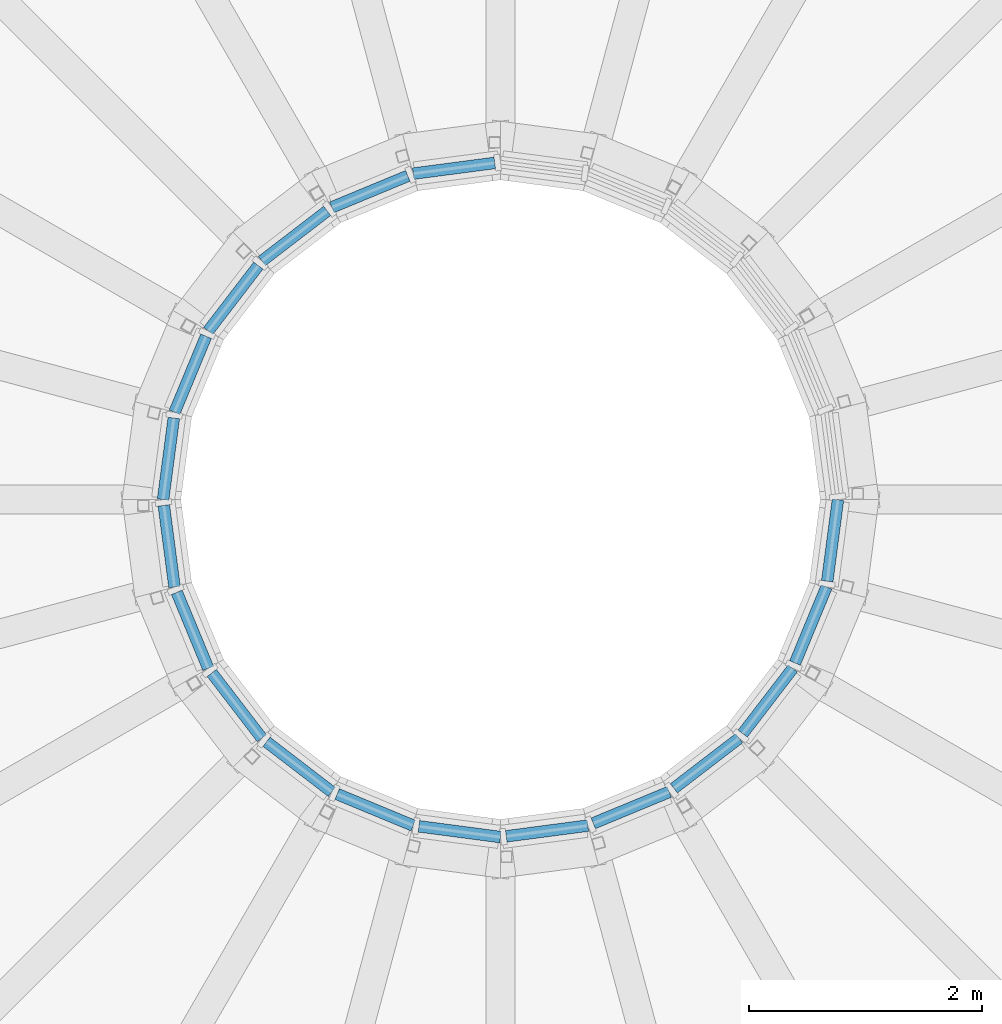
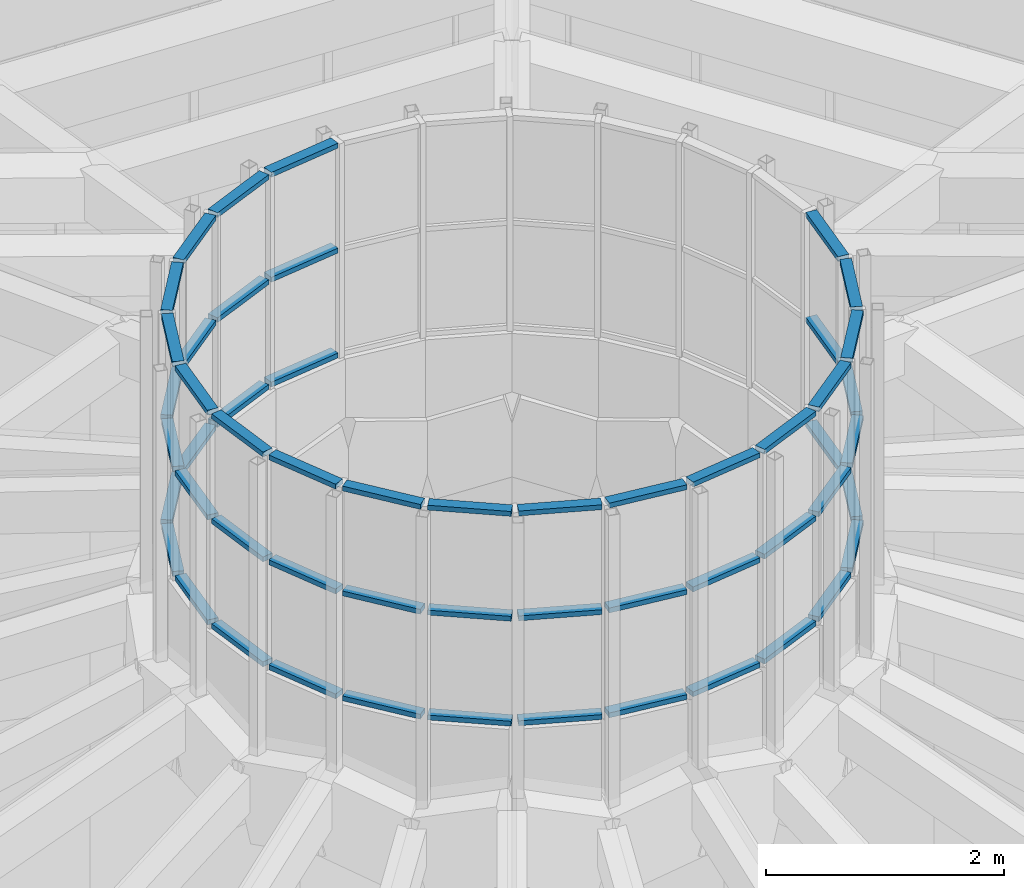
# One storey, part 32 of 82: 54 members, 18 elements without a shape of their own.
"""IFC4 building model written with IfcOpenShell, lengths in metres."""

from ifc_helpers import new_model, si_unit, direction, frame, origin, origin_2d, place, context, subcontext, project, spatial, rectangle, extrude, material, layer, layer_set, material_profile, profile_set, type_object, element, aggregate, save


model = new_model("IFC4")

# Units and contexts
model_context = context("Model", 3, precision=1e-05, world=origin(), true_north=direction((0.0, 1.0)))
body_context = subcontext(model_context, "Body", "Model", "MODEL_VIEW")
ifc_project = project(units=[si_unit("LENGTHUNIT", "METRE"), si_unit("AREAUNIT", "SQUARE_METRE"), si_unit("VOLUMEUNIT", "CUBIC_METRE"), si_unit("PLANEANGLEUNIT", "RADIAN"), si_unit("MASSUNIT", "GRAM", prefix="KILO")], contexts=[model_context])

# Site, building, storey
site_placement = place(None, origin())
site = spatial("IfcSite", under=ifc_project, at=site_placement, CompositionType="ELEMENT")
building_placement = place(site_placement, origin())
building = spatial("IfcBuilding", under=site, at=building_placement, Name="Volute Hill Aquarium", CompositionType="ELEMENT")
storey_placement = place(building_placement, frame((0.0, 0.0, 13.800048828125)))
storey = spatial("IfcBuildingStorey", under=building, at=storey_placement, Name="L04", CompositionType="ELEMENT", Elevation=13.800048828125)

# Curtain wall, members
ifc_material_1 = material(Name="Aluminium", Category="aluminium")
ifc_layer = layer(ifc_material_1, 0.139892578125)
ifc_layer_set = layer_set([ifc_layer], Name="Curtain wall DR lantern module 757")
curtain_wall_type = type_object("IfcCurtainWallType", Name="Curtain wall DR lantern module 757", PredefinedType="NOTDEFINED", material=ifc_layer_set)
curtain_wall_1_placement = place(storey_placement, origin())
curtain_wall_1 = element("IfcCurtainWall", 1, at=curtain_wall_1_placement, inside=storey, type_object=curtain_wall_type, Name="Curtain wall CW DR lantern l06", PredefinedType="NOTDEFINED")
ifc_material_2 = material(Name="Aluminium", Category="aluminium")
ifc_material_profile = material_profile(ifc_material_2, rectangle(XDim=0.10009765625, YDim=0.050048828125, at=origin_2d()), Name="Curtain wall transom lantern 50x100")
ifc_profile_set = profile_set([ifc_material_profile], Name="Aluminium")
member_type = type_object("IfcMemberType", Name="Curtain wall transom lantern 50x100", PredefinedType="USERDEFINED", material=ifc_profile_set)
member_1_placement = place(storey_placement, frame((-0.049560546875, 2.8935546875, 25.191650390625), z_axis=(-0.991443713746, -0.13053490902, 0.0), x_axis=(0.13053490902, -0.991443713746, 0.0)))
member_1 = element("IfcMember", 2, at=member_1_placement, type_object=member_type, Name="Transom DR lantern 1.1", ObjectType="TRANSOM", PredefinedType="USERDEFINED", context=body_context, shape_type="SweptSolid", body=[
    extrude(rectangle(XDim=0.10009765625, YDim=0.050048828125, at=origin_2d()), origin(), (0.0, 0.0, 1.0), 0.70703125),
])
member_2_placement = place(storey_placement, frame((-0.049560546875, 2.8935546875, 26.2666015625), z_axis=(-0.991443713746, -0.13053490902, 0.0), x_axis=(0.13053490902, -0.991443713746, 0.0)))
member_2 = element("IfcMember", 3, at=member_2_placement, type_object=member_type, Name="Transom DR lantern 1.2", ObjectType="TRANSOM", PredefinedType="USERDEFINED", context=body_context, shape_type="SweptSolid", body=[
    extrude(rectangle(XDim=0.10009765625, YDim=0.050048828125, at=origin_2d()), origin(), (0.0, 0.0, 1.0), 0.70703125),
])
member_3_placement = place(storey_placement, frame((-0.049560546875, 2.8935546875, 27.341552734375), z_axis=(-0.991443713746, -0.13053490902, 0.0), x_axis=(0.13053490902, -0.991443713746, 0.0)))
member_3 = element("IfcMember", 4, at=member_3_placement, type_object=member_type, Name="Head member DR lantern 1", ObjectType="TRANSOM", PredefinedType="USERDEFINED", context=body_context, shape_type="SweptSolid", body=[
    extrude(rectangle(XDim=0.10009765625, YDim=0.050048828125, at=origin_2d()), origin(), (0.0, 0.0, 1.0), 0.70703125),
])
aggregate(curtain_wall_1, [member_1, member_2, member_3])

curtain_wall_2_placement = place(storey_placement, origin())
curtain_wall_2 = element("IfcCurtainWall", 5, at=curtain_wall_2_placement, inside=storey, type_object=curtain_wall_type, Name="Curtain wall CW DR lantern l07", PredefinedType="NOTDEFINED")
member_4_placement = place(storey_placement, frame((-0.796875, 2.781982421875, 25.191650390625), z_axis=(-0.923882130891, -0.382677159262, 0.0), x_axis=(0.382677159262, -0.923882130891, 0.0)))
member_4 = element("IfcMember", 6, at=member_4_placement, type_object=member_type, Name="Transom DR lantern 1.1", ObjectType="TRANSOM", PredefinedType="USERDEFINED", context=body_context, shape_type="SweptSolid", body=[
    extrude(rectangle(XDim=0.10009765625, YDim=0.050048828125, at=origin_2d()), origin(), (0.0, 0.0, 1.0), 0.706787109375),
])
member_5_placement = place(storey_placement, frame((-0.796875, 2.781982421875, 26.2666015625), z_axis=(-0.923882130891, -0.382677159262, 0.0), x_axis=(0.382677159262, -0.923882130891, 0.0)))
member_5 = element("IfcMember", 7, at=member_5_placement, type_object=member_type, Name="Transom DR lantern 1.2", ObjectType="TRANSOM", PredefinedType="USERDEFINED", context=body_context, shape_type="SweptSolid", body=[
    extrude(rectangle(XDim=0.10009765625, YDim=0.050048828125, at=origin_2d()), origin(), (0.0, 0.0, 1.0), 0.706787109375),
])
member_6_placement = place(storey_placement, frame((-0.796875, 2.781982421875, 27.341552734375), z_axis=(-0.923882130891, -0.382677159262, 0.0), x_axis=(0.382677159262, -0.923882130891, 0.0)))
member_6 = element("IfcMember", 8, at=member_6_placement, type_object=member_type, Name="Head member DR lantern 1", ObjectType="TRANSOM", PredefinedType="USERDEFINED", context=body_context, shape_type="SweptSolid", body=[
    extrude(rectangle(XDim=0.10009765625, YDim=0.050048828125, at=origin_2d()), origin(), (0.0, 0.0, 1.0), 0.706787109375),
])
aggregate(curtain_wall_2, [member_4, member_5, member_6])

curtain_wall_3_placement = place(storey_placement, origin())
curtain_wall_3 = element("IfcCurtainWall", 9, at=curtain_wall_3_placement, inside=storey, type_object=curtain_wall_type, Name="Curtain wall CW DR lantern l08", PredefinedType="NOTDEFINED")
member_7_placement = place(storey_placement, frame((-1.48974609375, 2.48095703125, 25.191650390625), z_axis=(-0.793278292564, -0.608859220631, 0.0), x_axis=(0.608859220631, -0.793278292564, 0.0)))
member_7 = element("IfcMember", 10, at=member_7_placement, type_object=member_type, Name="Transom DR lantern 1.1", ObjectType="TRANSOM", PredefinedType="USERDEFINED", context=body_context, shape_type="SweptSolid", body=[
    extrude(rectangle(XDim=0.10009765625, YDim=0.050048828125, at=origin_2d()), origin(), (0.0, 0.0, 1.0), 0.70703125),
])
member_8_placement = place(storey_placement, frame((-1.48974609375, 2.48095703125, 26.2666015625), z_axis=(-0.793278292564, -0.608859220631, 0.0), x_axis=(0.608859220631, -0.793278292564, 0.0)))
member_8 = element("IfcMember", 11, at=member_8_placement, type_object=member_type, Name="Transom DR lantern 1.2", ObjectType="TRANSOM", PredefinedType="USERDEFINED", context=body_context, shape_type="SweptSolid", body=[
    extrude(rectangle(XDim=0.10009765625, YDim=0.050048828125, at=origin_2d()), origin(), (0.0, 0.0, 1.0), 0.70703125),
])
member_9_placement = place(storey_placement, frame((-1.48974609375, 2.48095703125, 27.341552734375), z_axis=(-0.793278292564, -0.608859220631, 0.0), x_axis=(0.608859220631, -0.793278292564, 0.0)))
member_9 = element("IfcMember", 12, at=member_9_placement, type_object=member_type, Name="Head member DR lantern 1", ObjectType="TRANSOM", PredefinedType="USERDEFINED", context=body_context, shape_type="SweptSolid", body=[
    extrude(rectangle(XDim=0.10009765625, YDim=0.050048828125, at=origin_2d()), origin(), (0.0, 0.0, 1.0), 0.70703125),
])
aggregate(curtain_wall_3, [member_7, member_8, member_9])

curtain_wall_4_placement = place(storey_placement, origin())
curtain_wall_4 = element("IfcCurtainWall", 13, at=curtain_wall_4_placement, inside=storey, type_object=curtain_wall_type, Name="Curtain wall CW DR lantern l09", PredefinedType="NOTDEFINED")
member_10_placement = place(storey_placement, frame((-2.0810546875, 2.010986328125, 25.191650390625), z_axis=(-0.608692448648, -0.79340626602, 0.0), x_axis=(0.79340626602, -0.608692448648, 0.0)))
member_10 = element("IfcMember", 14, at=member_10_placement, type_object=member_type, Name="Transom DR lantern 1.1", ObjectType="TRANSOM", PredefinedType="USERDEFINED", context=body_context, shape_type="SweptSolid", body=[
    extrude(rectangle(XDim=0.10009765625, YDim=0.050048828125, at=origin_2d()), origin(), (0.0, 0.0, 1.0), 0.70703125),
])
member_11_placement = place(storey_placement, frame((-2.0810546875, 2.010986328125, 26.2666015625), z_axis=(-0.608692448648, -0.79340626602, 0.0), x_axis=(0.79340626602, -0.608692448648, 0.0)))
member_11 = element("IfcMember", 15, at=member_11_placement, type_object=member_type, Name="Transom DR lantern 1.2", ObjectType="TRANSOM", PredefinedType="USERDEFINED", context=body_context, shape_type="SweptSolid", body=[
    extrude(rectangle(XDim=0.10009765625, YDim=0.050048828125, at=origin_2d()), origin(), (0.0, 0.0, 1.0), 0.70703125),
])
member_12_placement = place(storey_placement, frame((-2.0810546875, 2.010986328125, 27.341552734375), z_axis=(-0.608692448648, -0.79340626602, 0.0), x_axis=(0.79340626602, -0.608692448648, 0.0)))
member_12 = element("IfcMember", 16, at=member_12_placement, type_object=member_type, Name="Head member DR lantern 1", ObjectType="TRANSOM", PredefinedType="USERDEFINED", context=body_context, shape_type="SweptSolid", body=[
    extrude(rectangle(XDim=0.10009765625, YDim=0.050048828125, at=origin_2d()), origin(), (0.0, 0.0, 1.0), 0.70703125),
])
aggregate(curtain_wall_4, [member_10, member_11, member_12])

curtain_wall_5_placement = place(storey_placement, origin())
curtain_wall_5 = element("IfcCurtainWall", 17, at=curtain_wall_5_placement, inside=storey, type_object=curtain_wall_type, Name="Curtain wall CW DR lantern l10", PredefinedType="NOTDEFINED")
member_13_placement = place(storey_placement, frame((-2.530517578125, 1.40380859375, 25.191650390625), z_axis=(-0.382849766253, -0.923810617216, 0.0), x_axis=(0.923810617216, -0.382849766253, 0.0)))
member_13 = element("IfcMember", 18, at=member_13_placement, type_object=member_type, Name="Transom DR lantern 1.1", ObjectType="TRANSOM", PredefinedType="USERDEFINED", context=body_context, shape_type="SweptSolid", body=[
    extrude(rectangle(XDim=0.10009765625, YDim=0.050048828125, at=origin_2d()), origin(), (0.0, 0.0, 1.0), 0.707275390625),
])
member_14_placement = place(storey_placement, frame((-2.530517578125, 1.40380859375, 26.2666015625), z_axis=(-0.382849766253, -0.923810617216, 0.0), x_axis=(0.923810617216, -0.382849766253, 0.0)))
member_14 = element("IfcMember", 19, at=member_14_placement, type_object=member_type, Name="Transom DR lantern 1.2", ObjectType="TRANSOM", PredefinedType="USERDEFINED", context=body_context, shape_type="SweptSolid", body=[
    extrude(rectangle(XDim=0.10009765625, YDim=0.050048828125, at=origin_2d()), origin(), (0.0, 0.0, 1.0), 0.707275390625),
])
member_15_placement = place(storey_placement, frame((-2.530517578125, 1.40380859375, 27.341552734375), z_axis=(-0.382849766253, -0.923810617216, 0.0), x_axis=(0.923810617216, -0.382849766253, 0.0)))
member_15 = element("IfcMember", 20, at=member_15_placement, type_object=member_type, Name="Head member DR lantern 1", ObjectType="TRANSOM", PredefinedType="USERDEFINED", context=body_context, shape_type="SweptSolid", body=[
    extrude(rectangle(XDim=0.10009765625, YDim=0.050048828125, at=origin_2d()), origin(), (0.0, 0.0, 1.0), 0.707275390625),
])
aggregate(curtain_wall_5, [member_13, member_14, member_15])

curtain_wall_6_placement = place(storey_placement, origin())
curtain_wall_6 = element("IfcCurtainWall", 21, at=curtain_wall_6_placement, inside=storey, type_object=curtain_wall_type, Name="Curtain wall CW DR lantern l11", PredefinedType="NOTDEFINED")
member_16_placement = place(storey_placement, frame((-2.8076171875, 0.700927734375, 25.191650390625), z_axis=(-0.13053490902, -0.991443713746, 0.0), x_axis=(0.991443713746, -0.13053490902, 0.0)))
member_16 = element("IfcMember", 22, at=member_16_placement, type_object=member_type, Name="Transom DR lantern 1.1", ObjectType="TRANSOM", PredefinedType="USERDEFINED", context=body_context, shape_type="SweptSolid", body=[
    extrude(rectangle(XDim=0.10009765625, YDim=0.050048828125, at=origin_2d()), origin(), (0.0, 0.0, 1.0), 0.70703125),
])
member_17_placement = place(storey_placement, frame((-2.8076171875, 0.700927734375, 26.2666015625), z_axis=(-0.13053490902, -0.991443713746, 0.0), x_axis=(0.991443713746, -0.13053490902, 0.0)))
member_17 = element("IfcMember", 23, at=member_17_placement, type_object=member_type, Name="Transom DR lantern 1.2", ObjectType="TRANSOM", PredefinedType="USERDEFINED", context=body_context, shape_type="SweptSolid", body=[
    extrude(rectangle(XDim=0.10009765625, YDim=0.050048828125, at=origin_2d()), origin(), (0.0, 0.0, 1.0), 0.70703125),
])
member_18_placement = place(storey_placement, frame((-2.8076171875, 0.700927734375, 27.341552734375), z_axis=(-0.13053490902, -0.991443713746, 0.0), x_axis=(0.991443713746, -0.13053490902, 0.0)))
member_18 = element("IfcMember", 24, at=member_18_placement, type_object=member_type, Name="Head member DR lantern 1", ObjectType="TRANSOM", PredefinedType="USERDEFINED", context=body_context, shape_type="SweptSolid", body=[
    extrude(rectangle(XDim=0.10009765625, YDim=0.050048828125, at=origin_2d()), origin(), (0.0, 0.0, 1.0), 0.70703125),
])
aggregate(curtain_wall_6, [member_16, member_17, member_18])

curtain_wall_7_placement = place(storey_placement, origin())
curtain_wall_7 = element("IfcCurtainWall", 25, at=curtain_wall_7_placement, inside=storey, type_object=curtain_wall_type, Name="Curtain wall CW DR lantern l12", PredefinedType="NOTDEFINED")
member_19_placement = place(storey_placement, frame((-2.8935546875, -0.049560546875, 25.191650390625), z_axis=(0.13053490902, -0.991443713746, 0.0), x_axis=(0.991443713746, 0.13053490902, 0.0)))
member_19 = element("IfcMember", 26, at=member_19_placement, type_object=member_type, Name="Transom DR lantern 1.1", ObjectType="TRANSOM", PredefinedType="USERDEFINED", context=body_context, shape_type="SweptSolid", body=[
    extrude(rectangle(XDim=0.10009765625, YDim=0.050048828125, at=origin_2d()), origin(), (0.0, 0.0, 1.0), 0.70703125),
])
member_20_placement = place(storey_placement, frame((-2.8935546875, -0.049560546875, 26.2666015625), z_axis=(0.13053490902, -0.991443713746, 0.0), x_axis=(0.991443713746, 0.13053490902, 0.0)))
member_20 = element("IfcMember", 27, at=member_20_placement, type_object=member_type, Name="Transom DR lantern 1.2", ObjectType="TRANSOM", PredefinedType="USERDEFINED", context=body_context, shape_type="SweptSolid", body=[
    extrude(rectangle(XDim=0.10009765625, YDim=0.050048828125, at=origin_2d()), origin(), (0.0, 0.0, 1.0), 0.70703125),
])
member_21_placement = place(storey_placement, frame((-2.8935546875, -0.049560546875, 27.341552734375), z_axis=(0.13053490902, -0.991443713746, 0.0), x_axis=(0.991443713746, 0.13053490902, 0.0)))
member_21 = element("IfcMember", 28, at=member_21_placement, type_object=member_type, Name="Head member DR lantern 1", ObjectType="TRANSOM", PredefinedType="USERDEFINED", context=body_context, shape_type="SweptSolid", body=[
    extrude(rectangle(XDim=0.10009765625, YDim=0.050048828125, at=origin_2d()), origin(), (0.0, 0.0, 1.0), 0.70703125),
])
aggregate(curtain_wall_7, [member_19, member_20, member_21])

curtain_wall_8_placement = place(storey_placement, origin())
curtain_wall_8 = element("IfcCurtainWall", 29, at=curtain_wall_8_placement, inside=storey, type_object=curtain_wall_type, Name="Curtain wall CW DR lantern l13", PredefinedType="NOTDEFINED")
member_22_placement = place(storey_placement, frame((-2.781982421875, -0.796875, 25.191650390625), z_axis=(0.382677159262, -0.923882130891, 0.0), x_axis=(0.923882130891, 0.382677159262, 0.0)))
member_22 = element("IfcMember", 30, at=member_22_placement, type_object=member_type, Name="Transom DR lantern 1.1", ObjectType="TRANSOM", PredefinedType="USERDEFINED", context=body_context, shape_type="SweptSolid", body=[
    extrude(rectangle(XDim=0.10009765625, YDim=0.050048828125, at=origin_2d()), origin(), (0.0, 0.0, 1.0), 0.706787109375),
])
member_23_placement = place(storey_placement, frame((-2.781982421875, -0.796875, 26.2666015625), z_axis=(0.382677159262, -0.923882130891, 0.0), x_axis=(0.923882130891, 0.382677159262, 0.0)))
member_23 = element("IfcMember", 31, at=member_23_placement, type_object=member_type, Name="Transom DR lantern 1.2", ObjectType="TRANSOM", PredefinedType="USERDEFINED", context=body_context, shape_type="SweptSolid", body=[
    extrude(rectangle(XDim=0.10009765625, YDim=0.050048828125, at=origin_2d()), origin(), (0.0, 0.0, 1.0), 0.706787109375),
])
member_24_placement = place(storey_placement, frame((-2.781982421875, -0.796875, 27.341552734375), z_axis=(0.382677159262, -0.923882130891, 0.0), x_axis=(0.923882130891, 0.382677159262, 0.0)))
member_24 = element("IfcMember", 32, at=member_24_placement, type_object=member_type, Name="Head member DR lantern 1", ObjectType="TRANSOM", PredefinedType="USERDEFINED", context=body_context, shape_type="SweptSolid", body=[
    extrude(rectangle(XDim=0.10009765625, YDim=0.050048828125, at=origin_2d()), origin(), (0.0, 0.0, 1.0), 0.706787109375),
])
aggregate(curtain_wall_8, [member_22, member_23, member_24])

curtain_wall_9_placement = place(storey_placement, origin())
curtain_wall_9 = element("IfcCurtainWall", 33, at=curtain_wall_9_placement, inside=storey, type_object=curtain_wall_type, Name="Curtain wall CW DR lantern l14", PredefinedType="NOTDEFINED")
member_25_placement = place(storey_placement, frame((-2.48095703125, -1.48974609375, 25.191650390625), z_axis=(0.608859220631, -0.793278292564, 0.0), x_axis=(0.793278292564, 0.608859220631, 0.0)))
member_25 = element("IfcMember", 34, at=member_25_placement, type_object=member_type, Name="Transom DR lantern 1.1", ObjectType="TRANSOM", PredefinedType="USERDEFINED", context=body_context, shape_type="SweptSolid", body=[
    extrude(rectangle(XDim=0.10009765625, YDim=0.050048828125, at=origin_2d()), origin(), (0.0, 0.0, 1.0), 0.70703125),
])
member_26_placement = place(storey_placement, frame((-2.48095703125, -1.48974609375, 26.2666015625), z_axis=(0.608859220631, -0.793278292564, 0.0), x_axis=(0.793278292564, 0.608859220631, 0.0)))
member_26 = element("IfcMember", 35, at=member_26_placement, type_object=member_type, Name="Transom DR lantern 1.2", ObjectType="TRANSOM", PredefinedType="USERDEFINED", context=body_context, shape_type="SweptSolid", body=[
    extrude(rectangle(XDim=0.10009765625, YDim=0.050048828125, at=origin_2d()), origin(), (0.0, 0.0, 1.0), 0.70703125),
])
member_27_placement = place(storey_placement, frame((-2.48095703125, -1.48974609375, 27.341552734375), z_axis=(0.608859220631, -0.793278292564, 0.0), x_axis=(0.793278292564, 0.608859220631, 0.0)))
member_27 = element("IfcMember", 36, at=member_27_placement, type_object=member_type, Name="Head member DR lantern 1", ObjectType="TRANSOM", PredefinedType="USERDEFINED", context=body_context, shape_type="SweptSolid", body=[
    extrude(rectangle(XDim=0.10009765625, YDim=0.050048828125, at=origin_2d()), origin(), (0.0, 0.0, 1.0), 0.70703125),
])
aggregate(curtain_wall_9, [member_25, member_26, member_27])

curtain_wall_10_placement = place(storey_placement, origin())
curtain_wall_10 = element("IfcCurtainWall", 37, at=curtain_wall_10_placement, inside=storey, type_object=curtain_wall_type, Name="Curtain wall CW DR lantern l15", PredefinedType="NOTDEFINED")
member_28_placement = place(storey_placement, frame((-2.010986328125, -2.0810546875, 25.191650390625), z_axis=(0.79340626602, -0.608692448648, 0.0), x_axis=(0.608692448648, 0.79340626602, 0.0)))
member_28 = element("IfcMember", 38, at=member_28_placement, type_object=member_type, Name="Transom DR lantern 1.1", ObjectType="TRANSOM", PredefinedType="USERDEFINED", context=body_context, shape_type="SweptSolid", body=[
    extrude(rectangle(XDim=0.10009765625, YDim=0.050048828125, at=origin_2d()), origin(), (0.0, 0.0, 1.0), 0.70703125),
])
member_29_placement = place(storey_placement, frame((-2.010986328125, -2.0810546875, 26.2666015625), z_axis=(0.79340626602, -0.608692448648, 0.0), x_axis=(0.608692448648, 0.79340626602, 0.0)))
member_29 = element("IfcMember", 39, at=member_29_placement, type_object=member_type, Name="Transom DR lantern 1.2", ObjectType="TRANSOM", PredefinedType="USERDEFINED", context=body_context, shape_type="SweptSolid", body=[
    extrude(rectangle(XDim=0.10009765625, YDim=0.050048828125, at=origin_2d()), origin(), (0.0, 0.0, 1.0), 0.70703125),
])
member_30_placement = place(storey_placement, frame((-2.010986328125, -2.0810546875, 27.341552734375), z_axis=(0.79340626602, -0.608692448648, 0.0), x_axis=(0.608692448648, 0.79340626602, 0.0)))
member_30 = element("IfcMember", 40, at=member_30_placement, type_object=member_type, Name="Head member DR lantern 1", ObjectType="TRANSOM", PredefinedType="USERDEFINED", context=body_context, shape_type="SweptSolid", body=[
    extrude(rectangle(XDim=0.10009765625, YDim=0.050048828125, at=origin_2d()), origin(), (0.0, 0.0, 1.0), 0.70703125),
])
aggregate(curtain_wall_10, [member_28, member_29, member_30])

curtain_wall_11_placement = place(storey_placement, origin())
curtain_wall_11 = element("IfcCurtainWall", 41, at=curtain_wall_11_placement, inside=storey, type_object=curtain_wall_type, Name="Curtain wall CW DR lantern l16", PredefinedType="NOTDEFINED")
member_31_placement = place(storey_placement, frame((-1.40380859375, -2.530517578125, 25.191650390625), z_axis=(0.923810617216, -0.382849766253, 0.0), x_axis=(0.382849766253, 0.923810617216, 0.0)))
member_31 = element("IfcMember", 42, at=member_31_placement, type_object=member_type, Name="Transom DR lantern 1.1", ObjectType="TRANSOM", PredefinedType="USERDEFINED", context=body_context, shape_type="SweptSolid", body=[
    extrude(rectangle(XDim=0.10009765625, YDim=0.050048828125, at=origin_2d()), origin(), (0.0, 0.0, 1.0), 0.707275390625),
])
member_32_placement = place(storey_placement, frame((-1.40380859375, -2.530517578125, 26.2666015625), z_axis=(0.923810617216, -0.382849766253, 0.0), x_axis=(0.382849766253, 0.923810617216, 0.0)))
member_32 = element("IfcMember", 43, at=member_32_placement, type_object=member_type, Name="Transom DR lantern 1.2", ObjectType="TRANSOM", PredefinedType="USERDEFINED", context=body_context, shape_type="SweptSolid", body=[
    extrude(rectangle(XDim=0.10009765625, YDim=0.050048828125, at=origin_2d()), origin(), (0.0, 0.0, 1.0), 0.707275390625),
])
member_33_placement = place(storey_placement, frame((-1.40380859375, -2.530517578125, 27.341552734375), z_axis=(0.923810617216, -0.382849766253, 0.0), x_axis=(0.382849766253, 0.923810617216, 0.0)))
member_33 = element("IfcMember", 44, at=member_33_placement, type_object=member_type, Name="Head member DR lantern 1", ObjectType="TRANSOM", PredefinedType="USERDEFINED", context=body_context, shape_type="SweptSolid", body=[
    extrude(rectangle(XDim=0.10009765625, YDim=0.050048828125, at=origin_2d()), origin(), (0.0, 0.0, 1.0), 0.707275390625),
])
aggregate(curtain_wall_11, [member_31, member_32, member_33])

curtain_wall_12_placement = place(storey_placement, origin())
curtain_wall_12 = element("IfcCurtainWall", 45, at=curtain_wall_12_placement, inside=storey, type_object=curtain_wall_type, Name="Curtain wall CW DR lantern l17", PredefinedType="NOTDEFINED")
member_34_placement = place(storey_placement, frame((-0.700927734375, -2.8076171875, 25.191650390625), z_axis=(0.991443713746, -0.13053490902, 0.0), x_axis=(0.13053490902, 0.991443713746, 0.0)))
member_34 = element("IfcMember", 46, at=member_34_placement, type_object=member_type, Name="Transom DR lantern 1.1", ObjectType="TRANSOM", PredefinedType="USERDEFINED", context=body_context, shape_type="SweptSolid", body=[
    extrude(rectangle(XDim=0.10009765625, YDim=0.050048828125, at=origin_2d()), origin(), (0.0, 0.0, 1.0), 0.70703125),
])
member_35_placement = place(storey_placement, frame((-0.700927734375, -2.8076171875, 26.2666015625), z_axis=(0.991443713746, -0.13053490902, 0.0), x_axis=(0.13053490902, 0.991443713746, 0.0)))
member_35 = element("IfcMember", 47, at=member_35_placement, type_object=member_type, Name="Transom DR lantern 1.2", ObjectType="TRANSOM", PredefinedType="USERDEFINED", context=body_context, shape_type="SweptSolid", body=[
    extrude(rectangle(XDim=0.10009765625, YDim=0.050048828125, at=origin_2d()), origin(), (0.0, 0.0, 1.0), 0.70703125),
])
member_36_placement = place(storey_placement, frame((-0.700927734375, -2.8076171875, 27.341552734375), z_axis=(0.991443713746, -0.13053490902, 0.0), x_axis=(0.13053490902, 0.991443713746, 0.0)))
member_36 = element("IfcMember", 48, at=member_36_placement, type_object=member_type, Name="Head member DR lantern 1", ObjectType="TRANSOM", PredefinedType="USERDEFINED", context=body_context, shape_type="SweptSolid", body=[
    extrude(rectangle(XDim=0.10009765625, YDim=0.050048828125, at=origin_2d()), origin(), (0.0, 0.0, 1.0), 0.70703125),
])
aggregate(curtain_wall_12, [member_34, member_35, member_36])

curtain_wall_13_placement = place(storey_placement, origin())
curtain_wall_13 = element("IfcCurtainWall", 49, at=curtain_wall_13_placement, inside=storey, type_object=curtain_wall_type, Name="Curtain wall CW DR lantern l18", PredefinedType="NOTDEFINED")
member_37_placement = place(storey_placement, frame((0.049560546875, -2.8935546875, 25.191650390625), z_axis=(0.991443713746, 0.13053490902, 0.0), x_axis=(-0.13053490902, 0.991443713746, 0.0)))
member_37 = element("IfcMember", 50, at=member_37_placement, type_object=member_type, Name="Transom DR lantern 1.1", ObjectType="TRANSOM", PredefinedType="USERDEFINED", context=body_context, shape_type="SweptSolid", body=[
    extrude(rectangle(XDim=0.10009765625, YDim=0.050048828125, at=origin_2d()), origin(), (0.0, 0.0, 1.0), 0.70703125),
])
member_38_placement = place(storey_placement, frame((0.049560546875, -2.8935546875, 26.2666015625), z_axis=(0.991443713746, 0.13053490902, 0.0), x_axis=(-0.13053490902, 0.991443713746, 0.0)))
member_38 = element("IfcMember", 51, at=member_38_placement, type_object=member_type, Name="Transom DR lantern 1.2", ObjectType="TRANSOM", PredefinedType="USERDEFINED", context=body_context, shape_type="SweptSolid", body=[
    extrude(rectangle(XDim=0.10009765625, YDim=0.050048828125, at=origin_2d()), origin(), (0.0, 0.0, 1.0), 0.70703125),
])
member_39_placement = place(storey_placement, frame((0.049560546875, -2.8935546875, 27.341552734375), z_axis=(0.991443713746, 0.13053490902, 0.0), x_axis=(-0.13053490902, 0.991443713746, 0.0)))
member_39 = element("IfcMember", 52, at=member_39_placement, type_object=member_type, Name="Head member DR lantern 1", ObjectType="TRANSOM", PredefinedType="USERDEFINED", context=body_context, shape_type="SweptSolid", body=[
    extrude(rectangle(XDim=0.10009765625, YDim=0.050048828125, at=origin_2d()), origin(), (0.0, 0.0, 1.0), 0.70703125),
])
aggregate(curtain_wall_13, [member_37, member_38, member_39])

curtain_wall_14_placement = place(storey_placement, origin())
curtain_wall_14 = element("IfcCurtainWall", 53, at=curtain_wall_14_placement, inside=storey, type_object=curtain_wall_type, Name="Curtain wall CW DR lantern l19", PredefinedType="NOTDEFINED")
member_40_placement = place(storey_placement, frame((0.796875, -2.781982421875, 25.191650390625), z_axis=(0.923882130891, 0.382677159262, 0.0), x_axis=(-0.382677159262, 0.923882130891, 0.0)))
member_40 = element("IfcMember", 54, at=member_40_placement, type_object=member_type, Name="Transom DR lantern 1.1", ObjectType="TRANSOM", PredefinedType="USERDEFINED", context=body_context, shape_type="SweptSolid", body=[
    extrude(rectangle(XDim=0.10009765625, YDim=0.050048828125, at=origin_2d()), origin(), (0.0, 0.0, 1.0), 0.706787109375),
])
member_41_placement = place(storey_placement, frame((0.796875, -2.781982421875, 26.2666015625), z_axis=(0.923882130891, 0.382677159262, 0.0), x_axis=(-0.382677159262, 0.923882130891, 0.0)))
member_41 = element("IfcMember", 55, at=member_41_placement, type_object=member_type, Name="Transom DR lantern 1.2", ObjectType="TRANSOM", PredefinedType="USERDEFINED", context=body_context, shape_type="SweptSolid", body=[
    extrude(rectangle(XDim=0.10009765625, YDim=0.050048828125, at=origin_2d()), origin(), (0.0, 0.0, 1.0), 0.706787109375),
])
member_42_placement = place(storey_placement, frame((0.796875, -2.781982421875, 27.341552734375), z_axis=(0.923882130891, 0.382677159262, 0.0), x_axis=(-0.382677159262, 0.923882130891, 0.0)))
member_42 = element("IfcMember", 56, at=member_42_placement, type_object=member_type, Name="Head member DR lantern 1", ObjectType="TRANSOM", PredefinedType="USERDEFINED", context=body_context, shape_type="SweptSolid", body=[
    extrude(rectangle(XDim=0.10009765625, YDim=0.050048828125, at=origin_2d()), origin(), (0.0, 0.0, 1.0), 0.706787109375),
])
aggregate(curtain_wall_14, [member_40, member_41, member_42])

curtain_wall_15_placement = place(storey_placement, origin())
curtain_wall_15 = element("IfcCurtainWall", 57, at=curtain_wall_15_placement, inside=storey, type_object=curtain_wall_type, Name="Curtain wall CW DR lantern l20", PredefinedType="NOTDEFINED")
member_43_placement = place(storey_placement, frame((1.48974609375, -2.48095703125, 25.191650390625), z_axis=(0.793278292564, 0.608859220631, 0.0), x_axis=(-0.608859220631, 0.793278292564, 0.0)))
member_43 = element("IfcMember", 58, at=member_43_placement, type_object=member_type, Name="Transom DR lantern 1.1", ObjectType="TRANSOM", PredefinedType="USERDEFINED", context=body_context, shape_type="SweptSolid", body=[
    extrude(rectangle(XDim=0.10009765625, YDim=0.050048828125, at=origin_2d()), origin(), (0.0, 0.0, 1.0), 0.70703125),
])
member_44_placement = place(storey_placement, frame((1.48974609375, -2.48095703125, 26.2666015625), z_axis=(0.793278292564, 0.608859220631, 0.0), x_axis=(-0.608859220631, 0.793278292564, 0.0)))
member_44 = element("IfcMember", 59, at=member_44_placement, type_object=member_type, Name="Transom DR lantern 1.2", ObjectType="TRANSOM", PredefinedType="USERDEFINED", context=body_context, shape_type="SweptSolid", body=[
    extrude(rectangle(XDim=0.10009765625, YDim=0.050048828125, at=origin_2d()), origin(), (0.0, 0.0, 1.0), 0.70703125),
])
member_45_placement = place(storey_placement, frame((1.48974609375, -2.48095703125, 27.341552734375), z_axis=(0.793278292564, 0.608859220631, 0.0), x_axis=(-0.608859220631, 0.793278292564, 0.0)))
member_45 = element("IfcMember", 60, at=member_45_placement, type_object=member_type, Name="Head member DR lantern 1", ObjectType="TRANSOM", PredefinedType="USERDEFINED", context=body_context, shape_type="SweptSolid", body=[
    extrude(rectangle(XDim=0.10009765625, YDim=0.050048828125, at=origin_2d()), origin(), (0.0, 0.0, 1.0), 0.70703125),
])
aggregate(curtain_wall_15, [member_43, member_44, member_45])

curtain_wall_16_placement = place(storey_placement, origin())
curtain_wall_16 = element("IfcCurtainWall", 61, at=curtain_wall_16_placement, inside=storey, type_object=curtain_wall_type, Name="Curtain wall CW DR lantern l21", PredefinedType="NOTDEFINED")
member_46_placement = place(storey_placement, frame((2.0810546875, -2.010986328125, 25.191650390625), z_axis=(0.608692448648, 0.79340626602, 0.0), x_axis=(-0.79340626602, 0.608692448648, 0.0)))
member_46 = element("IfcMember", 62, at=member_46_placement, type_object=member_type, Name="Transom DR lantern 1.1", ObjectType="TRANSOM", PredefinedType="USERDEFINED", context=body_context, shape_type="SweptSolid", body=[
    extrude(rectangle(XDim=0.10009765625, YDim=0.050048828125, at=origin_2d()), origin(), (0.0, 0.0, 1.0), 0.70703125),
])
member_47_placement = place(storey_placement, frame((2.0810546875, -2.010986328125, 26.2666015625), z_axis=(0.608692448648, 0.79340626602, 0.0), x_axis=(-0.79340626602, 0.608692448648, 0.0)))
member_47 = element("IfcMember", 63, at=member_47_placement, type_object=member_type, Name="Transom DR lantern 1.2", ObjectType="TRANSOM", PredefinedType="USERDEFINED", context=body_context, shape_type="SweptSolid", body=[
    extrude(rectangle(XDim=0.10009765625, YDim=0.050048828125, at=origin_2d()), origin(), (0.0, 0.0, 1.0), 0.70703125),
])
member_48_placement = place(storey_placement, frame((2.0810546875, -2.010986328125, 27.341552734375), z_axis=(0.608692448648, 0.79340626602, 0.0), x_axis=(-0.79340626602, 0.608692448648, 0.0)))
member_48 = element("IfcMember", 64, at=member_48_placement, type_object=member_type, Name="Head member DR lantern 1", ObjectType="TRANSOM", PredefinedType="USERDEFINED", context=body_context, shape_type="SweptSolid", body=[
    extrude(rectangle(XDim=0.10009765625, YDim=0.050048828125, at=origin_2d()), origin(), (0.0, 0.0, 1.0), 0.70703125),
])
aggregate(curtain_wall_16, [member_46, member_47, member_48])

curtain_wall_17_placement = place(storey_placement, origin())
curtain_wall_17 = element("IfcCurtainWall", 65, at=curtain_wall_17_placement, inside=storey, type_object=curtain_wall_type, Name="Curtain wall CW DR lantern l22", PredefinedType="NOTDEFINED")
member_49_placement = place(storey_placement, frame((2.530517578125, -1.40380859375, 25.191650390625), z_axis=(0.382849766253, 0.923810617216, 0.0), x_axis=(-0.923810617216, 0.382849766253, 0.0)))
member_49 = element("IfcMember", 66, at=member_49_placement, type_object=member_type, Name="Transom DR lantern 1.1", ObjectType="TRANSOM", PredefinedType="USERDEFINED", context=body_context, shape_type="SweptSolid", body=[
    extrude(rectangle(XDim=0.10009765625, YDim=0.050048828125, at=origin_2d()), origin(), (0.0, 0.0, 1.0), 0.707275390625),
])
member_50_placement = place(storey_placement, frame((2.530517578125, -1.40380859375, 26.2666015625), z_axis=(0.382849766253, 0.923810617216, 0.0), x_axis=(-0.923810617216, 0.382849766253, 0.0)))
member_50 = element("IfcMember", 67, at=member_50_placement, type_object=member_type, Name="Transom DR lantern 1.2", ObjectType="TRANSOM", PredefinedType="USERDEFINED", context=body_context, shape_type="SweptSolid", body=[
    extrude(rectangle(XDim=0.10009765625, YDim=0.050048828125, at=origin_2d()), origin(), (0.0, 0.0, 1.0), 0.707275390625),
])
member_51_placement = place(storey_placement, frame((2.530517578125, -1.40380859375, 27.341552734375), z_axis=(0.382849766253, 0.923810617216, 0.0), x_axis=(-0.923810617216, 0.382849766253, 0.0)))
member_51 = element("IfcMember", 68, at=member_51_placement, type_object=member_type, Name="Head member DR lantern 1", ObjectType="TRANSOM", PredefinedType="USERDEFINED", context=body_context, shape_type="SweptSolid", body=[
    extrude(rectangle(XDim=0.10009765625, YDim=0.050048828125, at=origin_2d()), origin(), (0.0, 0.0, 1.0), 0.707275390625),
])
aggregate(curtain_wall_17, [member_49, member_50, member_51])

curtain_wall_18_placement = place(storey_placement, origin())
curtain_wall_18 = element("IfcCurtainWall", 69, at=curtain_wall_18_placement, inside=storey, type_object=curtain_wall_type, Name="Curtain wall CW DR lantern l23", PredefinedType="NOTDEFINED")
member_52_placement = place(storey_placement, frame((2.8076171875, -0.700927734375, 25.191650390625), z_axis=(0.13053490902, 0.991443713746, 0.0), x_axis=(-0.991443713746, 0.13053490902, 0.0)))
member_52 = element("IfcMember", 70, at=member_52_placement, type_object=member_type, Name="Transom DR lantern 1.1", ObjectType="TRANSOM", PredefinedType="USERDEFINED", context=body_context, shape_type="SweptSolid", body=[
    extrude(rectangle(XDim=0.10009765625, YDim=0.050048828125, at=origin_2d()), origin(), (0.0, 0.0, 1.0), 0.70703125),
])
member_53_placement = place(storey_placement, frame((2.8076171875, -0.700927734375, 26.2666015625), z_axis=(0.13053490902, 0.991443713746, 0.0), x_axis=(-0.991443713746, 0.13053490902, 0.0)))
member_53 = element("IfcMember", 71, at=member_53_placement, type_object=member_type, Name="Transom DR lantern 1.2", ObjectType="TRANSOM", PredefinedType="USERDEFINED", context=body_context, shape_type="SweptSolid", body=[
    extrude(rectangle(XDim=0.10009765625, YDim=0.050048828125, at=origin_2d()), origin(), (0.0, 0.0, 1.0), 0.70703125),
])
member_54_placement = place(storey_placement, frame((2.8076171875, -0.700927734375, 27.341552734375), z_axis=(0.13053490902, 0.991443713746, 0.0), x_axis=(-0.991443713746, 0.13053490902, 0.0)))
member_54 = element("IfcMember", 72, at=member_54_placement, type_object=member_type, Name="Head member DR lantern 1", ObjectType="TRANSOM", PredefinedType="USERDEFINED", context=body_context, shape_type="SweptSolid", body=[
    extrude(rectangle(XDim=0.10009765625, YDim=0.050048828125, at=origin_2d()), origin(), (0.0, 0.0, 1.0), 0.70703125),
])
aggregate(curtain_wall_18, [member_52, member_53, member_54])

save(model, "model.ifc")
